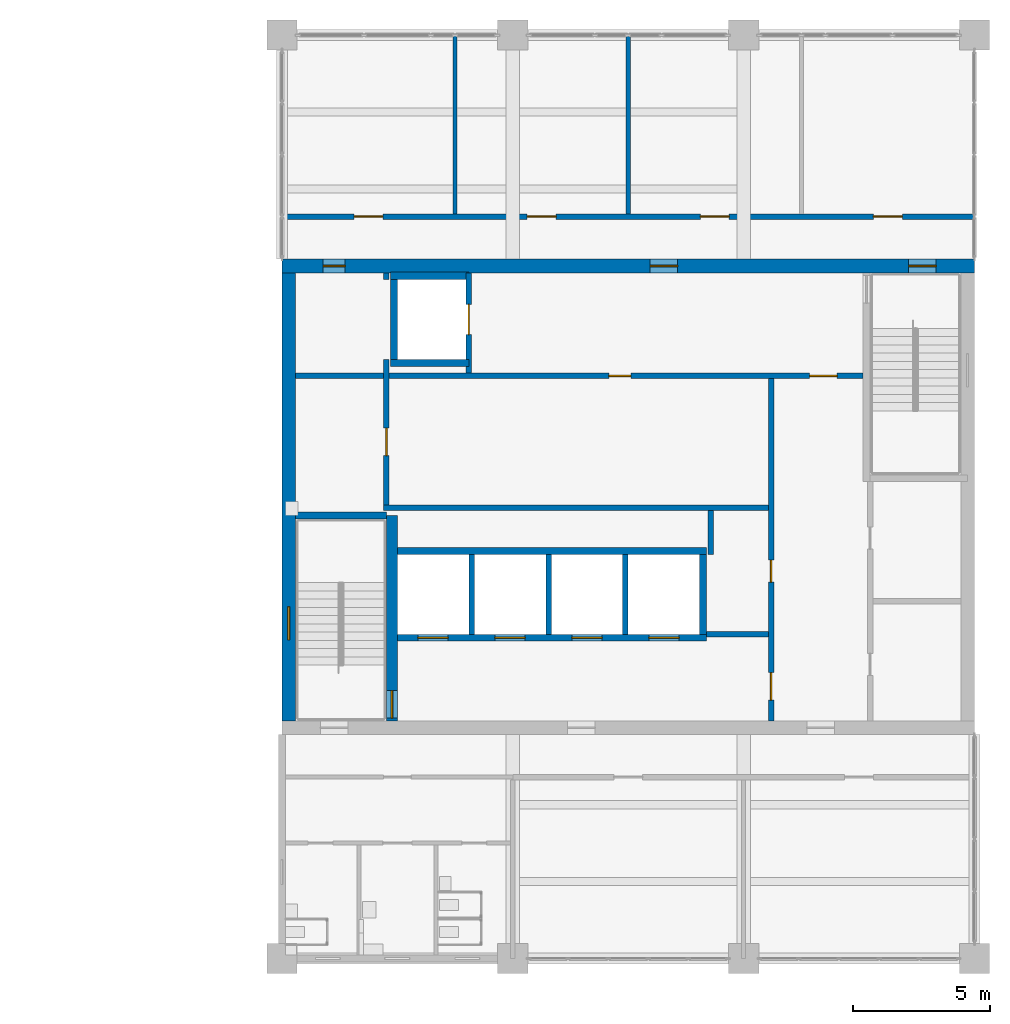
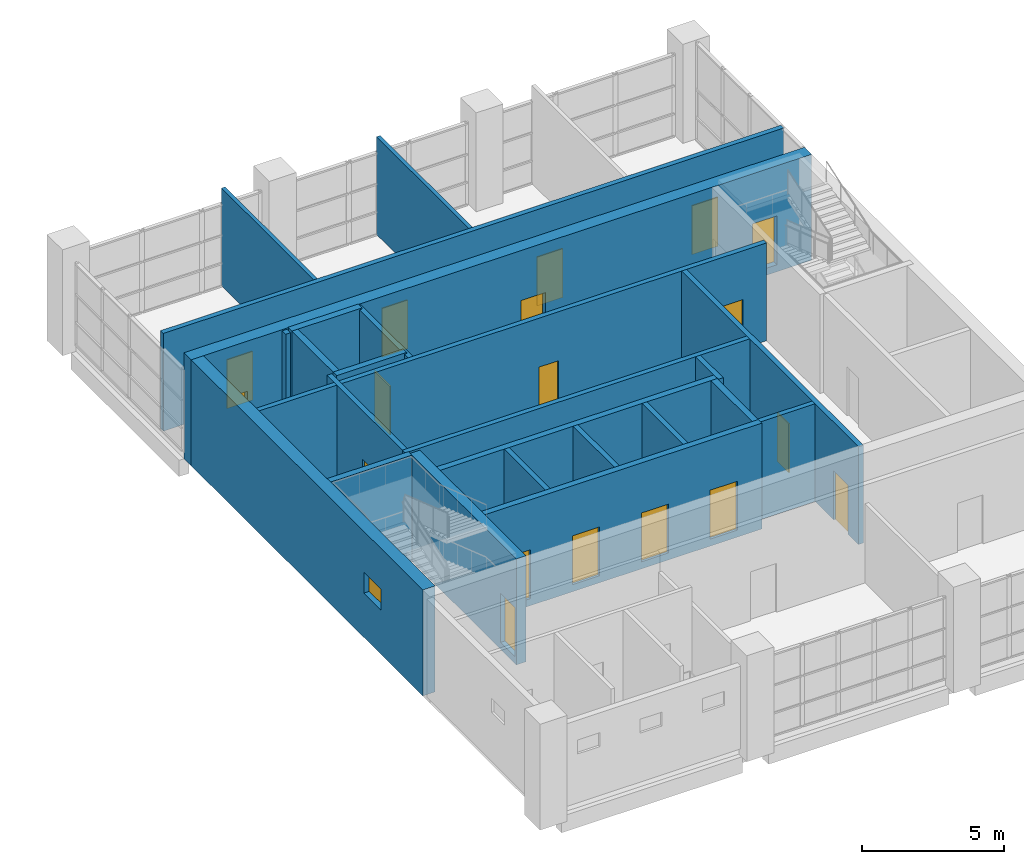
# One storey, part 36 of 64: 24 walls, 18 doors, 1 window, 19 openings.
"""IFC4 building model written with IfcOpenShell, lengths in metres."""

from ifc_helpers import new_model, si_unit, direction, frame, frame_2d, origin, place, context, subcontext, project, spatial, rectangle, extrude, material, layer, layer_set, type_object, element, fill, save


model = new_model("IFC4")

# Units and contexts
model_context = context("Model", 3, precision=1e-05, world=origin(), true_north=direction((0.0, 1.0)))
body_context = subcontext(model_context, "Body", "Model", "MODEL_VIEW")
ifc_project = project(units=[si_unit("LENGTHUNIT", "METRE"), si_unit("AREAUNIT", "SQUARE_METRE"), si_unit("VOLUMEUNIT", "CUBIC_METRE"), si_unit("PLANEANGLEUNIT", "RADIAN"), si_unit("MASSUNIT", "GRAM", prefix="KILO")], contexts=[model_context])

# Site, building, storey
site_placement = place(None, origin())
site = spatial("IfcSite", under=ifc_project, at=site_placement, CompositionType="ELEMENT")
building_placement = place(site_placement, origin())
building = spatial("IfcBuilding", under=site, at=building_placement, Name="Rulbaag Community and Learning Centre", CompositionType="ELEMENT")
storey_placement = place(building_placement, frame((0.0, 0.0, 5.39990234375)))
storey = spatial("IfcBuildingStorey", under=building, at=storey_placement, Name="L01", CompositionType="ELEMENT", Elevation=5.39990234375)

# Walls
ifc_material_1 = material(Name="Concrete blockwork", Category="masonry")
ifc_layer_1 = layer(ifc_material_1, 0.199951171875)
ifc_layer_set_1 = layer_set([ifc_layer_1], Name="FW-200 FIRE WALL 200")
wall_type_1 = type_object("IfcWallType", Name="FW-200 FIRE WALL 200", PredefinedType="SOLIDWALL", material=ifc_layer_set_1)
wall_1_placement = place(storey_placement, frame((158.25, 95.800048828125, 0.0), z_axis=(0.0, 0.0, 1.0), x_axis=(1.0, 0.0, 0.0)))
element("IfcWall", 1, at=wall_1_placement, inside=storey, type_object=wall_type_1, Name="Fire wall L01 41", PredefinedType="SOLIDWALL", context=body_context, shape_type="SweptSolid", body=[
    extrude(rectangle(XDim=2.25, YDim=0.199951171875, at=frame_2d((1.125, 0.0))), origin(), (0.0, 0.0, 1.0), 4.2001953125),
])
wall_2_placement = place(storey_placement, frame((146.5, 100.39990234375, 0.0), z_axis=(0.0, 0.0, 1.0), x_axis=(1.0, 0.0, 0.0)))
element("IfcWall", 2, at=wall_2_placement, inside=storey, type_object=wall_type_1, Name="Fire wall L01 44", PredefinedType="SOLIDWALL", context=body_context, shape_type="SweptSolid", body=[
    extrude(rectangle(XDim=14.0, YDim=0.199951171875, at=frame_2d((7.0, 0.0))), origin(), (0.0, 0.0, 1.0), 4.2001953125),
])

# Wall, openings, doors
wall_3_placement = place(storey_placement, frame((143.300048828125, 105.199951171875, 0.0), z_axis=(0.0, 0.0, 1.0), x_axis=(1.0, 0.0, 0.0)))
wall_3 = element("IfcWall", 3, at=wall_3_placement, inside=storey, type_object=wall_type_1, Name="Fire wall L01 45", PredefinedType="SOLIDWALL", context=body_context, shape_type="SweptSolid", body=[
    extrude(rectangle(XDim=20.64990234375, YDim=0.199951171875, at=frame_2d((10.324951171875, 0.0))), origin(), (0.0, 0.0, 1.0), 4.2001953125),
])
opening_1_placement = place(wall_3_placement, frame((11.39990234375, 0.0, 0.0)))
opening_1 = element("IfcOpeningElement", 4, at=opening_1_placement, cuts=wall_3, Name="Opening L01-D125", PredefinedType="OPENING", context=body_context, shape_type="SweptSolid", body=[
    extrude(rectangle(XDim=0.800048828125, YDim=2.10009765625, at=frame_2d((0.39990234375, 1.050048828125))), frame((0.0, 0.10986328125, 0.0), z_axis=(0.0, -1.0, 0.0), x_axis=(1.0, 0.0, 0.0)), (0.0, 0.0, 1.0), 0.219970703125),
])
opening_2_placement = place(wall_3_placement, frame((18.699951171875, 0.0, 0.0)))
opening_2 = element("IfcOpeningElement", 5, at=opening_2_placement, cuts=wall_3, Name="Opening L01-D151", PredefinedType="OPENING", context=body_context, shape_type="SweptSolid", body=[
    extrude(rectangle(XDim=1.0, YDim=2.10009765625, at=frame_2d((0.5, 1.050048828125))), frame((0.0, 0.10986328125, 0.0), z_axis=(0.0, -1.0, 0.0), x_axis=(1.0, 0.0, 0.0)), (0.0, 0.0, 1.0), 0.219970703125),
])
ifc_material_2 = material(Name="Galvanised steel", Category="steel")
door_type_1 = type_object("IfcDoorType", Name="FD-1000 FIRE DOOR 1000 x 2100", OperationType="SINGLE_SWING_LEFT", PredefinedType="DOOR", material=ifc_material_2)
door_1_placement = place(opening_2_placement, origin())
door_1 = element("IfcDoor", 6, at=door_1_placement, inside=storey, type_object=door_type_1, Name="Door L01-D151", OperationType="SINGLE_SWING_LEFT", OverallHeight=2.10009765625, OverallWidth=1.0, PredefinedType="DOOR", context=body_context, shape_type="SweptSolid", body=[
    extrude(rectangle(XDim=1.0, YDim=2.10009765625, at=frame_2d((0.5, 1.050048828125))), frame((0.0, 0.02490234375, 0.0), z_axis=(0.0, -1.0, 0.0), x_axis=(1.0, 0.0, 0.0)), (0.0, 0.0, 1.0), 0.050048828125),
])
fill(opening_2, door_1)
door_type_2 = type_object("IfcDoorType", Name="FDR-800 RISER FIRE DOOR 800 x 2100", OperationType="SINGLE_SWING_LEFT", PredefinedType="DOOR", material=ifc_material_2)
door_2_placement = place(opening_1_placement, origin())
door_2 = element("IfcDoor", 7, at=door_2_placement, inside=storey, type_object=door_type_2, Name="Riser door L01-D098", OperationType="SINGLE_SWING_RIGHT", OverallHeight=2.10009765625, OverallWidth=0.800048828125, PredefinedType="DOOR", context=body_context, shape_type="SweptSolid", body=[
    extrude(rectangle(XDim=0.800048828125, YDim=2.10009765625, at=frame_2d((0.39990234375, 1.050048828125))), frame((0.0, 0.02490234375, 0.0), z_axis=(0.0, -1.0, 0.0), x_axis=(1.0, 0.0, 0.0)), (0.0, 0.0, 1.0), 0.050048828125),
])
fill(opening_1, door_2)

wall_4_placement = place(storey_placement, frame((142.800048828125, 111.0, 0.0), z_axis=(0.0, 0.0, 1.0), x_axis=(1.0, 0.0, 0.0)))
wall_4 = element("IfcWall", 8, at=wall_4_placement, inside=storey, type_object=wall_type_1, Name="Fire wall L01 46", PredefinedType="SOLIDWALL", context=body_context, shape_type="SweptSolid", body=[
    extrude(rectangle(XDim=25.199951171875, YDim=0.199951171875, at=frame_2d((12.60009765625, 0.0))), origin(), (0.0, 0.0, 1.0), 4.2001953125),
])
opening_3_placement = place(wall_4_placement, frame((2.625, 0.0, 0.0)))
opening_3 = element("IfcOpeningElement", 9, at=opening_3_placement, cuts=wall_4, Name="Opening L01-D099", PredefinedType="OPENING", context=body_context, shape_type="SweptSolid", body=[
    extrude(rectangle(XDim=1.050048828125, YDim=2.10009765625, at=frame_2d((0.52490234375, 1.050048828125))), frame((0.0, 0.10986328125, 0.0), z_axis=(0.0, -1.0, 0.0), x_axis=(1.0, 0.0, 0.0)), (0.0, 0.0, 1.0), 0.219970703125),
])
opening_4_placement = place(wall_4_placement, frame((8.925048828125, 0.0, 0.0)))
opening_4 = element("IfcOpeningElement", 10, at=opening_4_placement, cuts=wall_4, Name="Opening L01-D113", PredefinedType="OPENING", context=body_context, shape_type="SweptSolid", body=[
    extrude(rectangle(XDim=1.050048828125, YDim=2.10009765625, at=frame_2d((0.52490234375, 1.050048828125))), frame((0.0, 0.10986328125, 0.0), z_axis=(0.0, -1.0, 0.0), x_axis=(1.0, 0.0, 0.0)), (0.0, 0.0, 1.0), 0.219970703125),
])
opening_5_placement = place(wall_4_placement, frame((15.22509765625, 0.0, 0.0)))
opening_5 = element("IfcOpeningElement", 11, at=opening_5_placement, cuts=wall_4, Name="Opening L01-D131", PredefinedType="OPENING", context=body_context, shape_type="SweptSolid", body=[
    extrude(rectangle(XDim=1.050048828125, YDim=2.10009765625, at=frame_2d((0.52490234375, 1.050048828125))), frame((0.0, 0.10986328125, 0.0), z_axis=(0.0, -1.0, 0.0), x_axis=(1.0, 0.0, 0.0)), (0.0, 0.0, 1.0), 0.219970703125),
])
opening_6_placement = place(wall_4_placement, frame((21.52490234375, 0.0, 0.0)))
opening_6 = element("IfcOpeningElement", 12, at=opening_6_placement, cuts=wall_4, Name="Opening L01-D159", PredefinedType="OPENING", context=body_context, shape_type="SweptSolid", body=[
    extrude(rectangle(XDim=1.050048828125, YDim=2.10009765625, at=frame_2d((0.52490234375, 1.050048828125))), frame((0.0, 0.10986328125, 0.0), z_axis=(0.0, -1.0, 0.0), x_axis=(1.0, 0.0, 0.0)), (0.0, 0.0, 1.0), 0.219970703125),
])
ifc_material_3 = material(Name="Timber", Category="wood")
door_type_3 = type_object("IfcDoorType", Name="FD-1050 GLAZED MEETING ROOM FIRE DOOR 1050 x 2100", OperationType="SINGLE_SWING_LEFT", PredefinedType="DOOR", material=ifc_material_3)
door_3_placement = place(opening_3_placement, origin())
door_3 = element("IfcDoor", 13, at=door_3_placement, inside=storey, type_object=door_type_3, Name="Door L01-D099", OperationType="SINGLE_SWING_RIGHT", OverallHeight=2.10009765625, OverallWidth=1.050048828125, PredefinedType="DOOR", context=body_context, shape_type="SweptSolid", body=[
    extrude(rectangle(XDim=1.050048828125, YDim=2.10009765625, at=frame_2d((0.52490234375, 1.050048828125))), frame((0.0, 0.02490234375, 0.0), z_axis=(0.0, -1.0, 0.0), x_axis=(1.0, 0.0, 0.0)), (0.0, 0.0, 1.0), 0.050048828125),
])
fill(opening_3, door_3)
door_4_placement = place(opening_4_placement, origin())
door_4 = element("IfcDoor", 14, at=door_4_placement, inside=storey, type_object=door_type_3, Name="Door L01-D113", OperationType="SINGLE_SWING_RIGHT", OverallHeight=2.10009765625, OverallWidth=1.050048828125, PredefinedType="DOOR", context=body_context, shape_type="SweptSolid", body=[
    extrude(rectangle(XDim=1.050048828125, YDim=2.10009765625, at=frame_2d((0.52490234375, 1.050048828125))), frame((0.0, 0.02490234375, 0.0), z_axis=(0.0, -1.0, 0.0), x_axis=(1.0, 0.0, 0.0)), (0.0, 0.0, 1.0), 0.050048828125),
])
fill(opening_4, door_4)
door_5_placement = place(opening_5_placement, origin())
door_5 = element("IfcDoor", 15, at=door_5_placement, inside=storey, type_object=door_type_3, Name="Door L01-D131", OperationType="SINGLE_SWING_LEFT", OverallHeight=2.10009765625, OverallWidth=1.050048828125, PredefinedType="DOOR", context=body_context, shape_type="SweptSolid", body=[
    extrude(rectangle(XDim=1.050048828125, YDim=2.10009765625, at=frame_2d((0.52490234375, 1.050048828125))), frame((0.0, 0.02490234375, 0.0), z_axis=(0.0, -1.0, 0.0), x_axis=(1.0, 0.0, 0.0)), (0.0, 0.0, 1.0), 0.050048828125),
])
fill(opening_5, door_5)
door_6_placement = place(opening_6_placement, origin())
door_6 = element("IfcDoor", 16, at=door_6_placement, inside=storey, type_object=door_type_3, Name="Door L01-D159", OperationType="SINGLE_SWING_LEFT", OverallHeight=2.10009765625, OverallWidth=1.050048828125, PredefinedType="DOOR", context=body_context, shape_type="SweptSolid", body=[
    extrude(rectangle(XDim=1.050048828125, YDim=2.10009765625, at=frame_2d((0.52490234375, 1.050048828125))), frame((0.0, 0.02490234375, 0.0), z_axis=(0.0, -1.0, 0.0), x_axis=(1.0, 0.0, 0.0)), (0.0, 0.0, 1.0), 0.050048828125),
])
fill(opening_6, door_6)

# Wall, opening, door
wall_5_placement = place(storey_placement, frame((146.60009765625, 100.5, 0.0), z_axis=(0.0, 0.0, 1.0), x_axis=(0.0, 1.0, 0.0)))
wall_5 = element("IfcWall", 17, at=wall_5_placement, inside=storey, type_object=wall_type_1, Name="Fire wall L01 77", PredefinedType="SOLIDWALL", context=body_context, shape_type="SweptSolid", body=[
    extrude(rectangle(XDim=5.300048828125, YDim=0.199951171875, at=frame_2d((2.64990234375, 0.0))), origin(), (0.0, 0.0, 1.0), 4.2001953125),
])
opening_7_placement = place(wall_5_placement, frame((1.800048828125, 0.0, 0.0)))
opening_7 = element("IfcOpeningElement", 18, at=opening_7_placement, cuts=wall_5, Name="Opening L01-D100", PredefinedType="OPENING", context=body_context, shape_type="SweptSolid", body=[
    extrude(rectangle(XDim=1.0, YDim=2.10009765625, at=frame_2d((0.5, 1.050048828125))), frame((0.0, 0.10986328125, 0.0), z_axis=(0.0, -1.0, 0.0), x_axis=(1.0, 0.0, 0.0)), (0.0, 0.0, 1.0), 0.219970703125),
])
door_7_placement = place(opening_7_placement, origin())
door_7 = element("IfcDoor", 19, at=door_7_placement, inside=storey, type_object=door_type_1, Name="Door L01-D100", OperationType="SINGLE_SWING_LEFT", OverallHeight=2.10009765625, OverallWidth=1.0, PredefinedType="DOOR", context=body_context, shape_type="SweptSolid", body=[
    extrude(rectangle(XDim=1.0, YDim=2.10009765625, at=frame_2d((0.5, 1.050048828125))), frame((0.0, 0.02490234375, 0.0), z_axis=(0.0, -1.0, 0.0), x_axis=(1.0, 0.0, 0.0)), (0.0, 0.0, 1.0), 0.050048828125),
])
fill(opening_7, door_7)

# Wall
wall_6_placement = place(storey_placement, frame((146.60009765625, 108.699951171875, 0.0), z_axis=(0.0, 0.0, 1.0), x_axis=(0.0, 1.0, 0.0)))
element("IfcWall", 20, at=wall_6_placement, inside=storey, type_object=wall_type_1, Name="Fire wall L01 78", PredefinedType="SOLIDWALL", context=body_context, shape_type="SweptSolid", body=[
    extrude(rectangle(XDim=0.25, YDim=0.199951171875, at=frame_2d((0.125, 0.0))), origin(), (0.0, 0.0, 1.0), 4.2001953125),
])

# Wall, opening, door
wall_7_placement = place(storey_placement, frame((149.60009765625, 105.300048828125, 0.0), z_axis=(0.0, 0.0, 1.0), x_axis=(0.0, 1.0, 0.0)))
wall_7 = element("IfcWall", 21, at=wall_7_placement, inside=storey, type_object=wall_type_1, Name="Fire wall L01 81", PredefinedType="SOLIDWALL", context=body_context, shape_type="SweptSolid", body=[
    extrude(rectangle(XDim=3.64990234375, YDim=0.199951171875, at=frame_2d((1.824951171875, 0.0))), origin(), (0.0, 0.0, 1.0), 4.2001953125),
])
opening_8_placement = place(wall_7_placement, frame((1.39990234375, 0.0, 0.0)))
opening_8 = element("IfcOpeningElement", 22, at=opening_8_placement, cuts=wall_7, Name="Opening L01-D105", PredefinedType="OPENING", context=body_context, shape_type="SweptSolid", body=[
    extrude(rectangle(XDim=1.10009765625, YDim=2.10009765625, at=frame_2d((0.550048828125, 1.050048828125))), frame((0.0, 0.10986328125, 0.0), z_axis=(0.0, -1.0, 0.0), x_axis=(1.0, 0.0, 0.0)), (0.0, 0.0, 1.0), 0.219970703125),
])
ifc_material_4 = material(Name="Stainless steel grade 304", Category="steel")
door_type_4 = type_object("IfcDoorType", Name="LD-1100 LIFT LANDING DOOR 1100 x 2100", OperationType="SLIDING_TO_LEFT", PredefinedType="DOOR", material=ifc_material_4)
door_8_placement = place(opening_8_placement, origin())
door_8 = element("IfcDoor", 23, at=door_8_placement, inside=storey, type_object=door_type_4, Name="Lift landing door LF1 L01", OperationType="SLIDING_TO_LEFT", OverallHeight=2.10009765625, OverallWidth=1.10009765625, PredefinedType="DOOR", context=body_context, shape_type="SweptSolid", body=[
    extrude(rectangle(XDim=1.10009765625, YDim=2.10009765625, at=frame_2d((0.550048828125, 1.050048828125))), frame((0.0, 0.02490234375, 0.0), z_axis=(0.0, -1.0, 0.0), x_axis=(1.0, 0.0, 0.0)), (0.0, 0.0, 1.0), 0.050048828125),
])
fill(opening_8, door_8)

# Wall
wall_8_placement = place(storey_placement, frame((158.39990234375, 98.699951171875, 0.0), z_axis=(0.0, 0.0, 1.0), x_axis=(0.0, 1.0, 0.0)))
element("IfcWall", 24, at=wall_8_placement, inside=storey, type_object=wall_type_1, Name="Fire wall L01 88", PredefinedType="SOLIDWALL", context=body_context, shape_type="SweptSolid", body=[
    extrude(rectangle(XDim=1.60009765625, YDim=0.199951171875, at=frame_2d((0.800048828125, 0.0))), origin(), (0.0, 0.0, 1.0), 4.2001953125),
])

# Wall, openings, doors
wall_9_placement = place(storey_placement, frame((160.60009765625, 92.64990234375, 0.0), z_axis=(0.0, 0.0, 1.0), x_axis=(0.0, 1.0, 0.0)))
wall_9 = element("IfcWall", 25, at=wall_9_placement, inside=storey, type_object=wall_type_1, Name="Fire wall L01 90", PredefinedType="SOLIDWALL", context=body_context, shape_type="SweptSolid", body=[
    extrude(rectangle(XDim=12.4501953125, YDim=0.199951171875, at=frame_2d((6.22509765625, 0.0))), origin(), (0.0, 0.0, 1.0), 4.2001953125),
])
opening_9_placement = place(wall_9_placement, frame((5.050048828125, 0.0, 0.0)))
opening_9 = element("IfcOpeningElement", 26, at=opening_9_placement, cuts=wall_9, Name="Opening L01-D143", PredefinedType="OPENING", context=body_context, shape_type="SweptSolid", body=[
    extrude(rectangle(XDim=0.800048828125, YDim=2.10009765625, at=frame_2d((0.39990234375, 1.050048828125))), frame((0.0, 0.10986328125, 0.0), z_axis=(0.0, -1.0, 0.0), x_axis=(1.0, 0.0, 0.0)), (0.0, 0.0, 1.0), 0.219970703125),
])
opening_10_placement = place(wall_9_placement, frame((0.75, 0.0, 0.0)))
opening_10 = element("IfcOpeningElement", 27, at=opening_10_placement, cuts=wall_9, Name="Opening L01-D142", PredefinedType="OPENING", context=body_context, shape_type="SweptSolid", body=[
    extrude(rectangle(XDim=1.0, YDim=2.10009765625, at=frame_2d((0.5, 1.050048828125))), frame((0.0, 0.10986328125, 0.0), z_axis=(0.0, -1.0, 0.0), x_axis=(1.0, 0.0, 0.0)), (0.0, 0.0, 1.0), 0.219970703125),
])
door_9_placement = place(opening_10_placement, origin())
door_9 = element("IfcDoor", 28, at=door_9_placement, inside=storey, type_object=door_type_1, Name="Door L01-D142", OperationType="SINGLE_SWING_LEFT", OverallHeight=2.10009765625, OverallWidth=1.0, PredefinedType="DOOR", context=body_context, shape_type="SweptSolid", body=[
    extrude(rectangle(XDim=1.0, YDim=2.10009765625, at=frame_2d((0.5, 1.050048828125))), frame((0.0, 0.02490234375, 0.0), z_axis=(0.0, -1.0, 0.0), x_axis=(1.0, 0.0, 0.0)), (0.0, 0.0, 1.0), 0.050048828125),
])
fill(opening_10, door_9)
door_10_placement = place(opening_9_placement, origin())
door_10 = element("IfcDoor", 29, at=door_10_placement, inside=storey, type_object=door_type_2, Name="Riser door L01-D097", OperationType="SINGLE_SWING_RIGHT", OverallHeight=2.10009765625, OverallWidth=0.800048828125, PredefinedType="DOOR", context=body_context, shape_type="SweptSolid", body=[
    extrude(rectangle(XDim=0.800048828125, YDim=2.10009765625, at=frame_2d((0.39990234375, 1.050048828125))), frame((0.0, 0.02490234375, 0.0), z_axis=(0.0, -1.0, 0.0), x_axis=(1.0, 0.0, 0.0)), (0.0, 0.0, 1.0), 0.050048828125),
])
fill(opening_9, door_10)

# Walls
ifc_layer_2 = layer(ifc_material_1, 0.14990234375)
ifc_layer_set_2 = layer_set([ifc_layer_2], Name="IP-150 PARTITION 150")
wall_type_2 = type_object("IfcWallType", Name="IP-150 PARTITION 150", PredefinedType="PARTITIONING", material=ifc_layer_set_2)
for number, where, z_axis, x_axis, name in (
    (30, (149.10009765625, 111.10009765625, 0.0), (0.0, 0.0, 1.0), (0.0, 1.0, 0.0), "Partition L01 80"),
    (31, (155.39990234375, 111.10009765625, 0.0), (0.0, 0.0, 1.0), (0.0, 1.0, 0.0), "Partition L01 86"),
):
    element("IfcWall", number, at=place(storey_placement, frame(where, z_axis=z_axis, x_axis=x_axis)), inside=storey, type_object=wall_type_2, Name=name, PredefinedType="PARTITIONING", context=body_context, shape_type="SweptSolid", body=[
        extrude(rectangle(XDim=6.5, YDim=0.14990234375, at=frame_2d((3.25, 0.0))), origin(), (0.0, 0.0, 1.0), 4.2001953125),
    ])
ifc_material_5 = material(Name="Concrete M40", Category="concrete")
ifc_layer_3 = layer(ifc_material_5, 0.27490234375)
ifc_layer_set_3 = layer_set([ifc_layer_3], Name="W16 Shaft wall 275 Concrete M40")
wall_type_3 = type_object("IfcWallType", Name="W16 Shaft wall 275 Concrete M40", PredefinedType="SHEAR", material=ifc_layer_set_3)
wall_10_placement = place(storey_placement, frame((146.75, 108.83740234375, -0.2998046875), z_axis=(0.0, 0.0, 1.0), x_axis=(1.0, 0.0, 0.0)))
element("IfcWall", 32, at=wall_10_placement, inside=storey, type_object=wall_type_3, Name="WL-LF-N-L01", PredefinedType="SHEAR", context=body_context, shape_type="SweptSolid", body=[
    extrude(rectangle(XDim=2.85009765625, YDim=0.27490234375, at=frame_2d((1.425048828125, 0.0))), origin(), (0.0, 0.0, 1.0), 4.5498046875),
])

# Wall, openings, doors
ifc_material_6 = material(Name="Concrete M60", Category="concrete")
ifc_layer_4 = layer(ifc_material_6, 0.5)
ifc_layer_set_4 = layer_set([ifc_layer_4], Name="W4 Core wall 500 Concrete M60")
wall_type_4 = type_object("IfcWallType", Name="W4 Core wall 500 Concrete M60", PredefinedType="SHEAR", material=ifc_layer_set_4)
wall_11_placement = place(storey_placement, frame((142.800048828125, 109.199951171875, -0.2998046875), z_axis=(0.0, 0.0, 1.0), x_axis=(1.0, 0.0, 0.0)))
wall_11 = element("IfcWall", 33, at=wall_11_placement, inside=storey, type_object=wall_type_4, Name="WL-CORE-N-L01", PredefinedType="SHEAR", context=body_context, shape_type="SweptSolid", body=[
    extrude(rectangle(XDim=25.199951171875, YDim=0.5, at=frame_2d((12.60009765625, 0.0))), origin(), (0.0, 0.0, 1.0), 4.5498046875),
])
opening_11_placement = place(wall_11_placement, frame((22.800048828125, 0.0, 0.300048828125)))
opening_11 = element("IfcOpeningElement", 34, at=opening_11_placement, cuts=wall_11, Name="Opening L01-D162", PredefinedType="OPENING", context=body_context, shape_type="SweptSolid", body=[
    extrude(rectangle(XDim=1.0, YDim=2.10009765625, at=frame_2d((0.5, 1.050048828125))), frame((0.0, 0.260009765625, 0.0), z_axis=(0.0, -1.0, 0.0), x_axis=(1.0, 0.0, 0.0)), (0.0, 0.0, 1.0), 0.52001953125),
])
opening_12_placement = place(wall_11_placement, frame((1.5, 0.0, 0.300048828125)))
opening_12 = element("IfcOpeningElement", 35, at=opening_12_placement, cuts=wall_11, Name="Opening L01-D098", PredefinedType="OPENING", context=body_context, shape_type="SweptSolid", body=[
    extrude(rectangle(XDim=0.800048828125, YDim=2.10009765625, at=frame_2d((0.39990234375, 1.050048828125))), frame((0.0, 0.260009765625, 0.0), z_axis=(0.0, -1.0, 0.0), x_axis=(1.0, 0.0, 0.0)), (0.0, 0.0, 1.0), 0.52001953125),
])
opening_13_placement = place(wall_11_placement, frame((13.39990234375, 0.0, 0.300048828125)))
opening_13 = element("IfcOpeningElement", 36, at=opening_13_placement, cuts=wall_11, Name="Opening L01-D130", PredefinedType="OPENING", context=body_context, shape_type="SweptSolid", body=[
    extrude(rectangle(XDim=1.0, YDim=2.10009765625, at=frame_2d((0.5, 1.050048828125))), frame((0.0, 0.260009765625, 0.0), z_axis=(0.0, -1.0, 0.0), x_axis=(1.0, 0.0, 0.0)), (0.0, 0.0, 1.0), 0.52001953125),
])
door_11_placement = place(opening_11_placement, origin())
door_11 = element("IfcDoor", 37, at=door_11_placement, inside=storey, type_object=door_type_1, Name="Door L01-D162", OperationType="SINGLE_SWING_LEFT", OverallHeight=2.10009765625, OverallWidth=1.0, PredefinedType="DOOR", context=body_context, shape_type="SweptSolid", body=[
    extrude(rectangle(XDim=1.0, YDim=2.10009765625, at=frame_2d((0.5, 1.050048828125))), frame((0.0, 0.02490234375, 0.0), z_axis=(0.0, -1.0, 0.0), x_axis=(1.0, 0.0, 0.0)), (0.0, 0.0, 1.0), 0.050048828125),
])
fill(opening_11, door_11)
door_12_placement = place(opening_13_placement, origin())
door_12 = element("IfcDoor", 38, at=door_12_placement, inside=storey, type_object=door_type_1, Name="Door L01-D130", OperationType="SINGLE_SWING_LEFT", OverallHeight=2.10009765625, OverallWidth=1.0, PredefinedType="DOOR", context=body_context, shape_type="SweptSolid", body=[
    extrude(rectangle(XDim=1.0, YDim=2.10009765625, at=frame_2d((0.5, 1.050048828125))), frame((0.0, 0.02490234375, 0.0), z_axis=(0.0, -1.0, 0.0), x_axis=(1.0, 0.0, 0.0)), (0.0, 0.0, 1.0), 0.050048828125),
])
fill(opening_13, door_12)
door_13_placement = place(opening_12_placement, origin())
door_13 = element("IfcDoor", 39, at=door_13_placement, inside=storey, type_object=door_type_2, Name="Riser door L01-D100", OperationType="SINGLE_SWING_LEFT", OverallHeight=2.10009765625, OverallWidth=0.800048828125, PredefinedType="DOOR", context=body_context, shape_type="SweptSolid", body=[
    extrude(rectangle(XDim=0.800048828125, YDim=2.10009765625, at=frame_2d((0.39990234375, 1.050048828125))), frame((0.0, 0.02490234375, 0.0), z_axis=(0.0, -1.0, 0.0), x_axis=(1.0, 0.0, 0.0)), (0.0, 0.0, 1.0), 0.050048828125),
])
fill(opening_12, door_13)

# Wall, opening, window
wall_12_placement = place(storey_placement, frame((143.050048828125, 92.64990234375, -0.2998046875), z_axis=(0.0, 0.0, 1.0), x_axis=(0.0, 1.0, 0.0)))
wall_12 = element("IfcWall", 40, at=wall_12_placement, inside=storey, type_object=wall_type_4, Name="WL-CORE-W-L01", PredefinedType="SHEAR", context=body_context, shape_type="SweptSolid", body=[
    extrude(rectangle(XDim=16.300048828125, YDim=0.5, at=frame_2d((8.14990234375, 0.0))), origin(), (0.0, 0.0, 1.0), 4.5498046875),
])
opening_14_placement = place(wall_12_placement, frame((2.949951171875, 0.0, 1.89990234375)))
opening_14 = element("IfcOpeningElement", 41, at=opening_14_placement, cuts=wall_12, Name="Opening WN19", PredefinedType="OPENING", context=body_context, shape_type="SweptSolid", body=[
    extrude(rectangle(XDim=1.199951171875, YDim=0.89990234375, at=frame_2d((0.60009765625, 0.449951171875))), frame((0.0, 0.260009765625, 0.0), z_axis=(0.0, -1.0, 0.0), x_axis=(1.0, 0.0, 0.0)), (0.0, 0.0, 1.0), 0.52001953125),
])
ifc_material_7 = material(Name="Aluminium", Category="aluminium")
window_type = type_object("IfcWindowType", Name="WS-12", PartitioningType="SINGLE_PANEL", PredefinedType="WINDOW", material=ifc_material_7)
window_placement = place(opening_14_placement, origin())
window = element("IfcWindow", 42, at=window_placement, inside=storey, type_object=window_type, Name="Stair window", OverallHeight=0.89990234375, OverallWidth=1.199951171875, PartitioningType="SINGLE_PANEL", PredefinedType="WINDOW", context=body_context, shape_type="SweptSolid", body=[
    extrude(rectangle(XDim=1.199951171875, YDim=0.89990234375, at=frame_2d((0.60009765625, 0.449951171875))), frame((0.0, 0.030029296875, 0.0), z_axis=(0.0, -1.0, 0.0), x_axis=(1.0, 0.0, 0.0)), (0.0, 0.0, 1.0), 0.06005859375),
])
fill(opening_14, window)

# Wall
ifc_layer_5 = layer(ifc_material_5, 0.25)
ifc_layer_set_5 = layer_set([ifc_layer_5], Name="W5 Shaft wall 250 Concrete M40")
wall_type_5 = type_object("IfcWallType", Name="W5 Shaft wall 250 Concrete M40", PredefinedType="SHEAR", material=ifc_layer_set_5)
wall_13_placement = place(storey_placement, frame((143.300048828125, 100.125, -0.2998046875), z_axis=(0.0, 0.0, 1.0), x_axis=(1.0, 0.0, 0.0)))
element("IfcWall", 43, at=wall_13_placement, inside=storey, type_object=wall_type_5, Name="WL-ST1-N-L01", PredefinedType="SHEAR", context=body_context, shape_type="SweptSolid", body=[
    extrude(rectangle(XDim=3.300048828125, YDim=0.25, at=frame_2d((1.64990234375, 0.0))), origin(), (0.0, 0.0, 1.0), 4.5498046875),
])

# Wall, openings, doors
wall_14_placement = place(storey_placement, frame((147.0, 95.675048828125, -0.2998046875), z_axis=(0.0, 0.0, 1.0), x_axis=(1.0, 0.0, 0.0)))
wall_14 = element("IfcWall", 44, at=wall_14_placement, inside=storey, type_object=wall_type_5, Name="WL-LP-S-L01", PredefinedType="SHEAR", context=body_context, shape_type="SweptSolid", body=[
    extrude(rectangle(XDim=11.25, YDim=0.25, at=frame_2d((5.625, 0.0))), origin(), (0.0, 0.0, 1.0), 4.5498046875),
])
opening_15_placement = place(wall_14_placement, frame((0.75, 0.0, 0.300048828125)))
opening_15 = element("IfcOpeningElement", 45, at=opening_15_placement, cuts=wall_14, Name="Opening L01-D104", PredefinedType="OPENING", context=body_context, shape_type="SweptSolid", body=[
    extrude(rectangle(XDim=1.10009765625, YDim=2.10009765625, at=frame_2d((0.550048828125, 1.050048828125))), frame((0.0, 0.135009765625, 0.0), z_axis=(0.0, -1.0, 0.0), x_axis=(1.0, 0.0, 0.0)), (0.0, 0.0, 1.0), 0.27001953125),
])
opening_16_placement = place(wall_14_placement, frame((3.550048828125, 0.0, 0.300048828125)))
opening_16 = element("IfcOpeningElement", 46, at=opening_16_placement, cuts=wall_14, Name="Opening L01-D111", PredefinedType="OPENING", context=body_context, shape_type="SweptSolid", body=[
    extrude(rectangle(XDim=1.10009765625, YDim=2.10009765625, at=frame_2d((0.550048828125, 1.050048828125))), frame((0.0, 0.135009765625, 0.0), z_axis=(0.0, -1.0, 0.0), x_axis=(1.0, 0.0, 0.0)), (0.0, 0.0, 1.0), 0.27001953125),
])
opening_17_placement = place(wall_14_placement, frame((6.35009765625, 0.0, 0.300048828125)))
opening_17 = element("IfcOpeningElement", 47, at=opening_17_placement, cuts=wall_14, Name="Opening L01-D123", PredefinedType="OPENING", context=body_context, shape_type="SweptSolid", body=[
    extrude(rectangle(XDim=1.10009765625, YDim=2.10009765625, at=frame_2d((0.550048828125, 1.050048828125))), frame((0.0, 0.135009765625, 0.0), z_axis=(0.0, -1.0, 0.0), x_axis=(1.0, 0.0, 0.0)), (0.0, 0.0, 1.0), 0.27001953125),
])
opening_18_placement = place(wall_14_placement, frame((9.14990234375, 0.0, 0.300048828125)))
opening_18 = element("IfcOpeningElement", 48, at=opening_18_placement, cuts=wall_14, Name="Opening L01-D129", PredefinedType="OPENING", context=body_context, shape_type="SweptSolid", body=[
    extrude(rectangle(XDim=1.10009765625, YDim=2.10009765625, at=frame_2d((0.550048828125, 1.050048828125))), frame((0.0, 0.135009765625, 0.0), z_axis=(0.0, -1.0, 0.0), x_axis=(1.0, 0.0, 0.0)), (0.0, 0.0, 1.0), 0.27001953125),
])
door_14_placement = place(opening_15_placement, origin())
door_14 = element("IfcDoor", 49, at=door_14_placement, inside=storey, type_object=door_type_4, Name="Lift landing door LP1 L01", OperationType="SLIDING_TO_LEFT", OverallHeight=2.10009765625, OverallWidth=1.10009765625, PredefinedType="DOOR", context=body_context, shape_type="SweptSolid", body=[
    extrude(rectangle(XDim=1.10009765625, YDim=2.10009765625, at=frame_2d((0.550048828125, 1.050048828125))), frame((0.0, 0.02490234375, 0.0), z_axis=(0.0, -1.0, 0.0), x_axis=(1.0, 0.0, 0.0)), (0.0, 0.0, 1.0), 0.050048828125),
])
fill(opening_15, door_14)
door_15_placement = place(opening_16_placement, origin())
door_15 = element("IfcDoor", 50, at=door_15_placement, inside=storey, type_object=door_type_4, Name="Lift landing door LP2 L01", OperationType="SLIDING_TO_LEFT", OverallHeight=2.10009765625, OverallWidth=1.10009765625, PredefinedType="DOOR", context=body_context, shape_type="SweptSolid", body=[
    extrude(rectangle(XDim=1.10009765625, YDim=2.10009765625, at=frame_2d((0.550048828125, 1.050048828125))), frame((0.0, 0.02490234375, 0.0), z_axis=(0.0, -1.0, 0.0), x_axis=(1.0, 0.0, 0.0)), (0.0, 0.0, 1.0), 0.050048828125),
])
fill(opening_16, door_15)
door_16_placement = place(opening_17_placement, origin())
door_16 = element("IfcDoor", 51, at=door_16_placement, inside=storey, type_object=door_type_4, Name="Lift landing door LP3 L01", OperationType="SLIDING_TO_LEFT", OverallHeight=2.10009765625, OverallWidth=1.10009765625, PredefinedType="DOOR", context=body_context, shape_type="SweptSolid", body=[
    extrude(rectangle(XDim=1.10009765625, YDim=2.10009765625, at=frame_2d((0.550048828125, 1.050048828125))), frame((0.0, 0.02490234375, 0.0), z_axis=(0.0, -1.0, 0.0), x_axis=(1.0, 0.0, 0.0)), (0.0, 0.0, 1.0), 0.050048828125),
])
fill(opening_17, door_16)
door_17_placement = place(opening_18_placement, origin())
door_17 = element("IfcDoor", 52, at=door_17_placement, inside=storey, type_object=door_type_4, Name="Lift landing door LP4 L01", OperationType="SLIDING_TO_LEFT", OverallHeight=2.10009765625, OverallWidth=1.10009765625, PredefinedType="DOOR", context=body_context, shape_type="SweptSolid", body=[
    extrude(rectangle(XDim=1.10009765625, YDim=2.10009765625, at=frame_2d((0.550048828125, 1.050048828125))), frame((0.0, 0.02490234375, 0.0), z_axis=(0.0, -1.0, 0.0), x_axis=(1.0, 0.0, 0.0)), (0.0, 0.0, 1.0), 0.050048828125),
])
fill(opening_18, door_17)

# Walls
wall_15_placement = place(storey_placement, frame((147.0, 98.824951171875, -0.2998046875), z_axis=(0.0, 0.0, 1.0), x_axis=(1.0, 0.0, 0.0)))
element("IfcWall", 53, at=wall_15_placement, inside=storey, type_object=wall_type_5, Name="WL-LP-N-L01", PredefinedType="SHEAR", context=body_context, shape_type="SweptSolid", body=[
    extrude(rectangle(XDim=11.25, YDim=0.25, at=frame_2d((5.625, 0.0))), origin(), (0.0, 0.0, 1.0), 4.5498046875),
])
wall_16_placement = place(storey_placement, frame((158.125, 95.800048828125, -0.2998046875), z_axis=(0.0, 0.0, 1.0), x_axis=(0.0, 1.0, 0.0)))
element("IfcWall", 54, at=wall_16_placement, inside=storey, type_object=wall_type_5, Name="WL-LP-E-L01", PredefinedType="SHEAR", context=body_context, shape_type="SweptSolid", body=[
    extrude(rectangle(XDim=2.89990234375, YDim=0.25, at=frame_2d((1.449951171875, 0.0))), origin(), (0.0, 0.0, 1.0), 4.5498046875),
])
wall_17_placement = place(storey_placement, frame((146.75, 105.675048828125, -0.2998046875), z_axis=(0.0, 0.0, 1.0), x_axis=(1.0, 0.0, 0.0)))
element("IfcWall", 55, at=wall_17_placement, inside=storey, type_object=wall_type_5, Name="WL-LF-S-L01", PredefinedType="SHEAR", context=body_context, shape_type="SweptSolid", body=[
    extrude(rectangle(XDim=2.85009765625, YDim=0.25, at=frame_2d((1.425048828125, 0.0))), origin(), (0.0, 0.0, 1.0), 4.5498046875),
])
wall_18_placement = place(storey_placement, frame((146.875, 105.800048828125, -0.2998046875), z_axis=(0.0, 0.0, 1.0), x_axis=(0.0, 1.0, 0.0)))
element("IfcWall", 56, at=wall_18_placement, inside=storey, type_object=wall_type_5, Name="WL-LF-W-L01", PredefinedType="SHEAR", context=body_context, shape_type="SweptSolid", body=[
    extrude(rectangle(XDim=2.89990234375, YDim=0.25, at=frame_2d((1.449951171875, 0.0))), origin(), (0.0, 0.0, 1.0), 4.5498046875),
])
ifc_layer_6 = layer(ifc_material_5, 0.199951171875)
ifc_layer_set_6 = layer_set([ifc_layer_6], Name="W6 Shaft divider 200 Concrete M40")
wall_type_6 = type_object("IfcWallType", Name="W6 Shaft divider 200 Concrete M40", PredefinedType="SHEAR", material=ifc_layer_set_6)
for number, where, z_axis, x_axis, name in (
    (57, (149.699951171875, 95.800048828125, -0.2998046875), (0.0, 0.0, 1.0), (0.0, 1.0, 0.0), "WL-LP-D1-L01"),
    (58, (152.5, 95.800048828125, -0.2998046875), (0.0, 0.0, 1.0), (0.0, 1.0, 0.0), "WL-LP-D2-L01"),
    (59, (155.300048828125, 95.800048828125, -0.2998046875), (0.0, 0.0, 1.0), (0.0, 1.0, 0.0), "WL-LP-D3-L01"),
):
    element("IfcWall", number, at=place(storey_placement, frame(where, z_axis=z_axis, x_axis=x_axis)), inside=storey, type_object=wall_type_6, Name=name, PredefinedType="SHEAR", context=body_context, shape_type="SweptSolid", body=[
        extrude(rectangle(XDim=2.89990234375, YDim=0.199951171875, at=frame_2d((1.449951171875, 0.0))), origin(), (0.0, 0.0, 1.0), 4.5498046875),
    ])

# Wall, opening, door
ifc_layer_7 = layer(ifc_material_5, 0.39990234375)
ifc_layer_set_7 = layer_set([ifc_layer_7], Name="W7 Stair wall 400 Concrete M40")
wall_type_7 = type_object("IfcWallType", Name="W7 Stair wall 400 Concrete M40", PredefinedType="SHEAR", material=ifc_layer_set_7)
wall_19_placement = place(storey_placement, frame((146.800048828125, 92.64990234375, -0.2998046875), z_axis=(0.0, 0.0, 1.0), x_axis=(0.0, 1.0, 0.0)))
wall_19 = element("IfcWall", 60, at=wall_19_placement, inside=storey, type_object=wall_type_7, Name="WL-ST1-E-L01", PredefinedType="SHEAR", context=body_context, shape_type="SweptSolid", body=[
    extrude(rectangle(XDim=7.47509765625, YDim=0.39990234375, at=frame_2d((3.737548828125, 0.0))), origin(), (0.0, 0.0, 1.0), 4.5498046875),
])
opening_19_placement = place(wall_19_placement, frame((0.10009765625, 0.0, 0.300048828125)))
opening_19 = element("IfcOpeningElement", 61, at=opening_19_placement, cuts=wall_19, Name="Opening L01-D101", PredefinedType="OPENING", context=body_context, shape_type="SweptSolid", body=[
    extrude(rectangle(XDim=1.0, YDim=2.10009765625, at=frame_2d((0.5, 1.050048828125))), frame((0.0, 0.2099609375, 0.0), z_axis=(0.0, -1.0, 0.0), x_axis=(1.0, 0.0, 0.0)), (0.0, 0.0, 1.0), 0.419921875),
])
door_18_placement = place(opening_19_placement, origin())
door_18 = element("IfcDoor", 62, at=door_18_placement, inside=storey, type_object=door_type_1, Name="Door L01-D101", OperationType="SINGLE_SWING_RIGHT", OverallHeight=2.10009765625, OverallWidth=1.0, PredefinedType="DOOR", context=body_context, shape_type="SweptSolid", body=[
    extrude(rectangle(XDim=1.0, YDim=2.10009765625, at=frame_2d((0.5, 1.050048828125))), frame((0.0, 0.02490234375, 0.0), z_axis=(0.0, -1.0, 0.0), x_axis=(1.0, 0.0, 0.0)), (0.0, 0.0, 1.0), 0.050048828125),
])
fill(opening_19, door_18)

save(model, "model.ifc")
